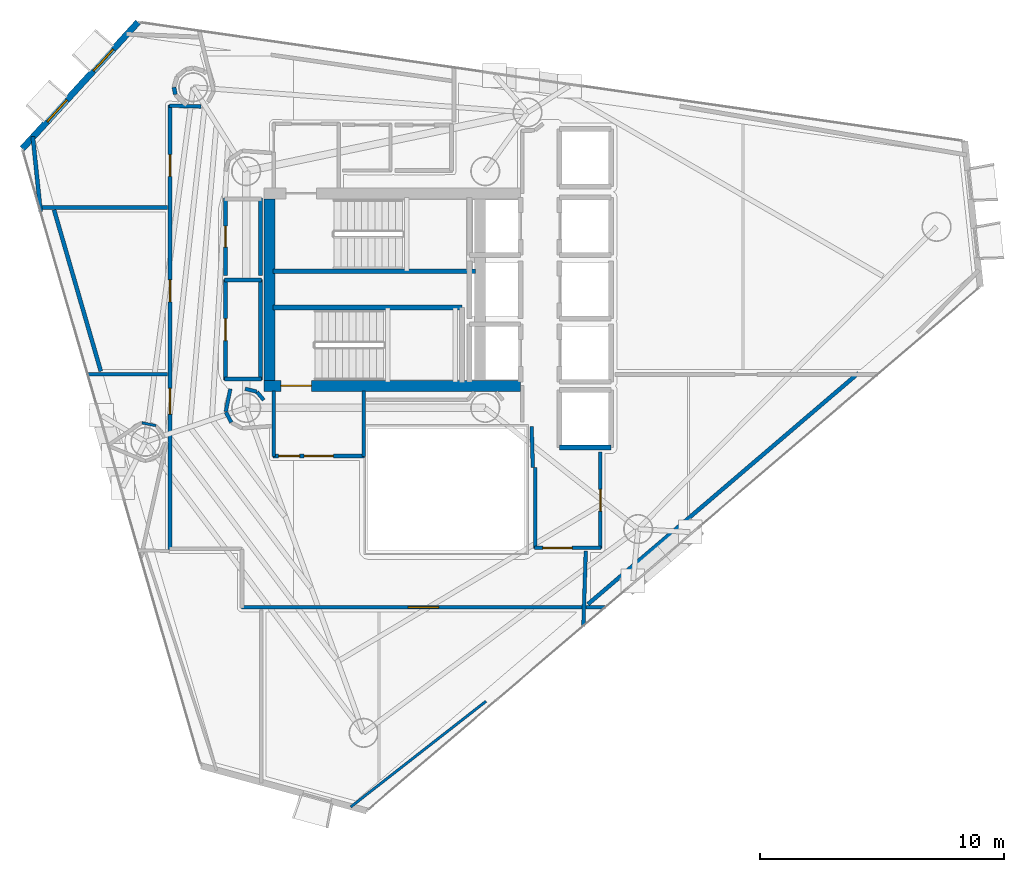
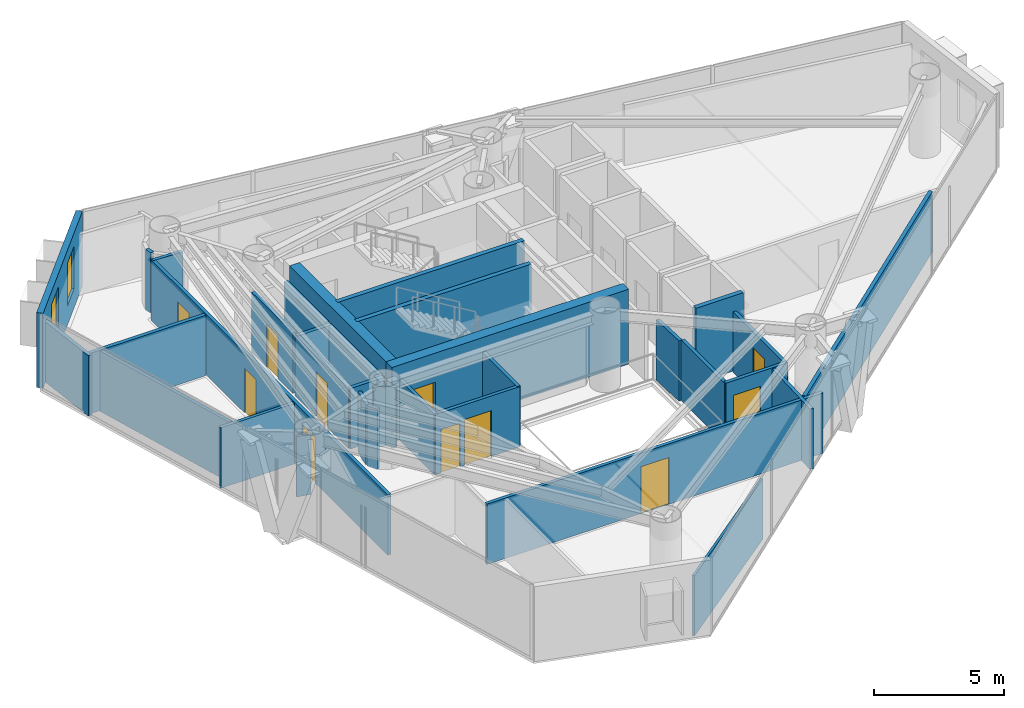
# One storey, part 18 of 23: 35 walls, 11 doors, 2 windows, 13 openings.
"""IFC4 building model written with IfcOpenShell, lengths in metres."""

from ifc_helpers import new_model, si_unit, direction, frame, frame_2d, origin, place, context, subcontext, project, spatial, rectangle, extrude, material, layer, layer_set, type_object, element, fill, save


model = new_model("IFC4")

# Units and contexts
model_context = context("Model", 3, precision=1e-05, world=origin(), true_north=direction((0.0, 1.0)))
body_context = subcontext(model_context, "Body", "Model", "MODEL_VIEW")
ifc_project = project(units=[si_unit("LENGTHUNIT", "METRE"), si_unit("AREAUNIT", "SQUARE_METRE"), si_unit("VOLUMEUNIT", "CUBIC_METRE"), si_unit("PLANEANGLEUNIT", "RADIAN"), si_unit("MASSUNIT", "GRAM", prefix="KILO")], contexts=[model_context])

# Site, building, storey
site_placement = place(None, origin())
site = spatial("IfcSite", under=ifc_project, at=site_placement, CompositionType="ELEMENT")
building_placement = place(site_placement, origin())
building = spatial("IfcBuilding", under=site, at=building_placement, Name="Qianvela Tower", CompositionType="ELEMENT")
storey_placement = place(building_placement, frame((0.0, 0.0, 215.10009765625)))
storey = spatial("IfcBuildingStorey", under=building, at=storey_placement, Name="L55", CompositionType="ELEMENT", Elevation=215.10009765625)

# Wall, openings, windows
ifc_material_1 = material(Name="Terracotta Cladding on Concrete C40", Category="masonry")
ifc_layer_1 = layer(ifc_material_1, 0.260009765625)
ifc_layer_set_1 = layer_set([ifc_layer_1], Name="Terracotta Cladding on Concrete C40")
wall_type_1 = type_object("IfcWallType", Name="TERRACOTTA-WALL-260", PredefinedType="SOLIDWALL", material=ifc_layer_set_1)
wall_1_placement = place(storey_placement, frame((24.17041015625, 39.660400390625, 0.0), z_axis=(0.0, 0.0, 1.0), x_axis=(-0.674986503916, -0.73783007497, 0.0)))
wall_1 = element("IfcWall", 1, at=wall_1_placement, inside=storey, type_object=wall_type_1, Name="L55 Terracotta Chamfer Facet Wall 3", PredefinedType="SOLIDWALL", context=body_context, shape_type="SweptSolid", body=[
    extrude(rectangle(XDim=7.02783203125, YDim=0.260009765625, at=frame_2d((3.513916015625, 0.0))), origin(), (0.0, 0.0, 1.0), 3.52001953125),
])
opening_1_placement = place(wall_1_placement, frame((1.50830078125, 0.0, 0.89990234375)))
opening_1 = element("IfcOpeningElement", 2, at=opening_1_placement, cuts=wall_1, Name="Opening W-03", PredefinedType="OPENING", context=body_context, shape_type="SweptSolid", body=[
    extrude(rectangle(XDim=1.199951171875, YDim=2.0, at=frame_2d((0.60009765625, 1.0))), frame((0.0, 0.139892578125, 0.0), z_axis=(0.0, -1.0, 0.0), x_axis=(1.0, 0.0, 0.0)), (0.0, 0.0, 1.0), 0.280029296875),
])
opening_2_placement = place(wall_1_placement, frame((4.319580078125, 0.0, 0.89990234375)))
opening_2 = element("IfcOpeningElement", 3, at=opening_2_placement, cuts=wall_1, Name="Opening W-03", PredefinedType="OPENING", context=body_context, shape_type="SweptSolid", body=[
    extrude(rectangle(XDim=1.199951171875, YDim=2.0, at=frame_2d((0.60009765625, 1.0))), frame((0.0, 0.139892578125, 0.0), z_axis=(0.0, -1.0, 0.0), x_axis=(1.0, 0.0, 0.0)), (0.0, 0.0, 1.0), 0.280029296875),
])
ifc_material_2 = material(Name="Thermally Broken Aluminium and Low-E Glass", Category="aluminium")
window_type = type_object("IfcWindowType", Name="WIN-TC-1200x2000", PartitioningType="SINGLE_PANEL", PredefinedType="WINDOW", material=ifc_material_2)
window_1_placement = place(opening_1_placement, origin())
window_1 = element("IfcWindow", 4, at=window_1_placement, inside=storey, type_object=window_type, Name="L55 Chamfer Facet Window 3.1", OverallHeight=2.0, OverallWidth=1.199951171875, PartitioningType="SINGLE_PANEL", PredefinedType="WINDOW", context=body_context, shape_type="SweptSolid", body=[
    extrude(rectangle(XDim=1.199951171875, YDim=2.0, at=frame_2d((0.60009765625, 1.0))), frame((0.0, 0.030029296875, 0.0), z_axis=(0.0, -1.0, 0.0), x_axis=(1.0, 0.0, 0.0)), (0.0, 0.0, 1.0), 0.06005859375),
])
fill(opening_1, window_1)
window_2_placement = place(opening_2_placement, origin())
window_2 = element("IfcWindow", 5, at=window_2_placement, inside=storey, type_object=window_type, Name="L55 Chamfer Facet Window 3.2", OverallHeight=2.0, OverallWidth=1.199951171875, PartitioningType="SINGLE_PANEL", PredefinedType="WINDOW", context=body_context, shape_type="SweptSolid", body=[
    extrude(rectangle(XDim=1.199951171875, YDim=2.0, at=frame_2d((0.60009765625, 1.0))), frame((0.0, 0.030029296875, 0.0), z_axis=(0.0, -1.0, 0.0), x_axis=(1.0, 0.0, 0.0)), (0.0, 0.0, 1.0), 0.06005859375),
])
fill(opening_2, window_2)

# Wall, opening, door
ifc_material_3 = material(Name="Concrete C50", Category="concrete")
ifc_layer_2 = layer(ifc_material_3, 0.449951171875)
ifc_layer_set_2 = layer_set([ifc_layer_2], Name="Concrete C50")
wall_type_2 = type_object("IfcWallType", Name="WT-CORE-450", PredefinedType="SHEAR", material=ifc_layer_set_2)
wall_2_placement = place(storey_placement, frame((29.330078125, 24.7548828125, 0.0), z_axis=(0.0, 0.0, 1.0), x_axis=(1.0, 0.0, 0.0)))
wall_2 = element("IfcWall", 6, at=wall_2_placement, inside=storey, type_object=wall_type_2, Name="L55 South Core Shear Wall", PredefinedType="SHEAR", context=body_context, shape_type="SweptSolid", body=[
    extrude(rectangle(XDim=10.52001953125, YDim=0.449951171875, at=frame_2d((5.260009765625, 0.0))), origin(), (0.0, 0.0, 1.0), 3.52001953125),
])
opening_3_placement = place(wall_2_placement, frame((0.695068359375, 0.0, 0.0)))
opening_3 = element("IfcOpeningElement", 7, at=opening_3_placement, cuts=wall_2, Name="Opening D-ST1", PredefinedType="OPENING", context=body_context, shape_type="SweptSolid", body=[
    extrude(rectangle(XDim=1.25, YDim=2.14990234375, at=frame_2d((0.625, 1.074951171875))), frame((0.0, 0.23486328125, 0.0), z_axis=(0.0, -1.0, 0.0), x_axis=(1.0, 0.0, 0.0)), (0.0, 0.0, 1.0), 0.469970703125),
])
ifc_material_4 = material(Name="Galvanised Fire Steel Q355B", Category="steel")
door_type_1 = type_object("IfcDoorType", Name="DT-STAIR-FD90", OperationType="NOTDEFINED", PredefinedType="DOOR", material=ifc_material_4)
door_1_placement = place(opening_3_placement, origin())
door_1 = element("IfcDoor", 8, at=door_1_placement, inside=storey, type_object=door_type_1, Name="L55 Stair ST-2 Exit Door", OperationType="SINGLE_SWING_LEFT", OverallHeight=2.14990234375, OverallWidth=1.25, PredefinedType="DOOR", context=body_context, shape_type="SweptSolid", body=[
    extrude(rectangle(XDim=1.25, YDim=2.14990234375, at=frame_2d((0.625, 1.074951171875))), frame((0.0, 0.02490234375, 0.0), z_axis=(0.0, -1.0, 0.0), x_axis=(1.0, 0.0, 0.0)), (0.0, 0.0, 1.0), 0.050048828125),
])
fill(opening_3, door_1)

# Wall
wall_3_placement = place(storey_placement, frame((29.554931640625, 24.97998046875, 0.0), z_axis=(0.0, 0.0, 1.0), x_axis=(0.0, 1.0, 0.0)))
element("IfcWall", 9, at=wall_3_placement, inside=storey, type_object=wall_type_2, Name="L55 West Core Shear Wall", PredefinedType="SHEAR", context=body_context, shape_type="SweptSolid", body=[
    extrude(rectangle(XDim=7.43994140625, YDim=0.449951171875, at=frame_2d((3.719970703125, 0.0))), origin(), (0.0, 0.0, 1.0), 3.52001953125),
])

# Wall, openings, doors
ifc_material_5 = material(Name="Fire-Rated Acoustic Gypsum Board")
ifc_layer_3 = layer(ifc_material_5, 0.14990234375)
ifc_layer_set_3 = layer_set([ifc_layer_3], Name="Fire-Rated Acoustic Gypsum Board")
wall_type_3 = type_object("IfcWallType", Name="WT-CORR-150", PredefinedType="PARTITIONING", material=ifc_layer_set_3)
wall_4_placement = place(storey_placement, frame((33.449951171875, 21.881103515625, 0.0), z_axis=(0.0, 0.0, 1.0), x_axis=(-1.0, 0.0, 0.0)))
wall_4 = element("IfcWall", 10, at=wall_4_placement, inside=storey, type_object=wall_type_3, Name="L55 Partition 5", PredefinedType="PARTITIONING", context=body_context, shape_type="SweptSolid", body=[
    extrude(rectangle(XDim=3.75, YDim=0.14990234375, at=frame_2d((1.875, 0.0))), origin(), (0.0, 0.0, 1.0), 2.83984375),
])
opening_4_placement = place(wall_4_placement, frame((1.27490234375, 0.0, 0.0)))
opening_4 = element("IfcOpeningElement", 11, at=opening_4_placement, cuts=wall_4, Name="Opening D-LB1", PredefinedType="OPENING", context=body_context, shape_type="SweptSolid", body=[
    extrude(rectangle(XDim=1.199951171875, YDim=2.14990234375, at=frame_2d((0.60009765625, 1.074951171875))), frame((0.0, 0.0849609375, 0.0), z_axis=(0.0, -1.0, 0.0), x_axis=(1.0, 0.0, 0.0)), (0.0, 0.0, 1.0), 0.169921875),
])
opening_5_placement = place(wall_4_placement, frame((2.659912109375, 0.0, 0.0)))
opening_5 = element("IfcOpeningElement", 12, at=opening_5_placement, cuts=wall_4, Name="Opening D-LB2", PredefinedType="OPENING", context=body_context, shape_type="SweptSolid", body=[
    extrude(rectangle(XDim=0.860107421875, YDim=2.050048828125, at=frame_2d((0.43017578125, 1.02490234375))), frame((0.0, 0.0849609375, 0.0), z_axis=(0.0, -1.0, 0.0), x_axis=(1.0, 0.0, 0.0)), (0.0, 0.0, 1.0), 0.169921875),
])
ifc_material_6 = material(Name="Glazed Fire-Rated Steel Frame", Category="steel")
door_type_2 = type_object("IfcDoorType", Name="DT-LOBBY-FD90", OperationType="NOTDEFINED", PredefinedType="DOOR", material=ifc_material_6)
door_2_placement = place(opening_4_placement, origin())
door_2 = element("IfcDoor", 13, at=door_2_placement, inside=storey, type_object=door_type_2, Name="L55 Door L55 Firefighting Lobby South to L55 Floor Corridor", OperationType="SINGLE_SWING_RIGHT", OverallHeight=2.14990234375, OverallWidth=1.199951171875, PredefinedType="DOOR", context=body_context, shape_type="SweptSolid", body=[
    extrude(rectangle(XDim=1.199951171875, YDim=2.14990234375, at=frame_2d((0.60009765625, 1.074951171875))), frame((0.0, 0.02490234375, 0.0), z_axis=(0.0, -1.0, 0.0), x_axis=(1.0, 0.0, 0.0)), (0.0, 0.0, 1.0), 0.050048828125),
])
fill(opening_4, door_2)
ifc_material_7 = material(Name="Insulated Steel Fire Door Q355B", Category="steel")
door_type_3 = type_object("IfcDoorType", Name="DT-LOBBY-FD90-860", OperationType="NOTDEFINED", PredefinedType="DOOR", material=ifc_material_7)
door_3_placement = place(opening_5_placement, origin())
door_3 = element("IfcDoor", 14, at=door_3_placement, inside=storey, type_object=door_type_3, Name="L55 Door L55 Firefighting Lobby South to L55 Floor Corridor", OperationType="SINGLE_SWING_RIGHT", OverallHeight=2.050048828125, OverallWidth=0.860107421875, PredefinedType="DOOR", context=body_context, shape_type="SweptSolid", body=[
    extrude(rectangle(XDim=0.860107421875, YDim=2.050048828125, at=frame_2d((0.43017578125, 1.02490234375))), frame((0.0, 0.02490234375, 0.0), z_axis=(0.0, -1.0, 0.0), x_axis=(1.0, 0.0, 0.0)), (0.0, 0.0, 1.0), 0.050048828125),
])
fill(opening_5, door_3)

# Walls
for number, where, z_axis, x_axis, name in (
    (15, (29.73095703125, 21.85009765625, 0.0), (0.0, 0.0, 1.0), (0.0, 1.0, 0.0), "L55 Partition 6"),
    (16, (33.4189453125, 24.5419921875, 0.0), (0.0, 0.0, 1.0), (0.0, -1.0, 0.0), "L55 Partition 8"),
):
    element("IfcWall", number, at=place(storey_placement, frame(where, z_axis=z_axis, x_axis=x_axis)), inside=storey, type_object=wall_type_3, Name=name, PredefinedType="PARTITIONING", context=body_context, shape_type="SweptSolid", body=[
        extrude(rectangle(XDim=2.69189453125, YDim=0.14990234375, at=frame_2d((1.345947265625, 0.0))), origin(), (0.0, 0.0, 1.0), 2.83984375),
    ])
wall_5_placement = place(storey_placement, frame((40.35107421875, 21.40087890625, 0.0), z_axis=(0.0, 0.0, 1.0), x_axis=(-0.031058045979, 0.999517582527, 0.0)))
element("IfcWall", 17, at=wall_5_placement, inside=storey, type_object=wall_type_3, Name="L55 Partition 9", PredefinedType="PARTITIONING", context=body_context, shape_type="SweptSolid", body=[
    extrude(rectangle(XDim=1.68212890625, YDim=0.14990234375, at=frame_2d((0.841064453125, 0.0))), origin(), (0.0, 0.0, 1.0), 2.83984375),
])

# Wall, opening, door
wall_6_placement = place(storey_placement, frame((43.118896484375, 22.050048828125, 0.0), z_axis=(0.0, 0.0, 1.0), x_axis=(0.0, -1.0, 0.0)))
wall_6 = element("IfcWall", 18, at=wall_6_placement, inside=storey, type_object=wall_type_3, Name="L55 Partition 17", PredefinedType="PARTITIONING", context=body_context, shape_type="SweptSolid", body=[
    extrude(rectangle(XDim=3.969970703125, YDim=0.14990234375, at=frame_2d((1.98486328125, 0.0))), origin(), (0.0, 0.0, 1.0), 2.83984375),
])
opening_6_placement = place(wall_6_placement, frame((1.534912109375, 0.0, 0.0)))
opening_6 = element("IfcOpeningElement", 19, at=opening_6_placement, cuts=wall_6, Name="Opening D-KT1", PredefinedType="OPENING", context=body_context, shape_type="SweptSolid", body=[
    extrude(rectangle(XDim=0.89990234375, YDim=2.10009765625, at=frame_2d((0.449951171875, 1.050048828125))), frame((0.0, 0.0849609375, 0.0), z_axis=(0.0, -1.0, 0.0), x_axis=(1.0, 0.0, 0.0)), (0.0, 0.0, 1.0), 0.169921875),
])
ifc_material_8 = material(Name="Glazed Timber Kitchen Door", Category="wood")
door_type_4 = type_object("IfcDoorType", Name="DT-KITCH-900", OperationType="NOTDEFINED", PredefinedType="DOOR", material=ifc_material_8)
door_4_placement = place(opening_6_placement, origin())
door_4 = element("IfcDoor", 20, at=door_4_placement, inside=storey, type_object=door_type_4, Name="L55 Door Floor Dining Kitchen L55-03 to L55 Lift Lobby", OperationType="SINGLE_SWING_RIGHT", OverallHeight=2.10009765625, OverallWidth=0.89990234375, PredefinedType="DOOR", context=body_context, shape_type="SweptSolid", body=[
    extrude(rectangle(XDim=0.89990234375, YDim=2.10009765625, at=frame_2d((0.449951171875, 1.050048828125))), frame((0.0, 0.02490234375, 0.0), z_axis=(0.0, -1.0, 0.0), x_axis=(1.0, 0.0, 0.0)), (0.0, 0.0, 1.0), 0.050048828125),
])
fill(opening_6, door_4)

wall_7_placement = place(storey_placement, frame((43.14990234375, 18.111083984375, 0.0), z_axis=(0.0, 0.0, 1.0), x_axis=(-1.0, 0.0, 0.0)))
wall_7 = element("IfcWall", 21, at=wall_7_placement, inside=storey, type_object=wall_type_3, Name="L55 Partition 18", PredefinedType="PARTITIONING", context=body_context, shape_type="SweptSolid", body=[
    extrude(rectangle(XDim=2.72998046875, YDim=0.14990234375, at=frame_2d((1.364990234375, 0.0))), origin(), (0.0, 0.0, 1.0), 2.83984375),
])
opening_7_placement = place(wall_7_placement, frame((1.18505859375, 0.0, 0.0)))
opening_7 = element("IfcOpeningElement", 22, at=opening_7_placement, cuts=wall_7, Name="Opening D-LB1", PredefinedType="OPENING", context=body_context, shape_type="SweptSolid", body=[
    extrude(rectangle(XDim=1.199951171875, YDim=2.14990234375, at=frame_2d((0.60009765625, 1.074951171875))), frame((0.0, 0.0849609375, 0.0), z_axis=(0.0, -1.0, 0.0), x_axis=(1.0, 0.0, 0.0)), (0.0, 0.0, 1.0), 0.169921875),
])
door_5_placement = place(opening_7_placement, origin())
door_5 = element("IfcDoor", 23, at=door_5_placement, inside=storey, type_object=door_type_2, Name="L55 Door L55 Lift Lobby to L55 Floor Corridor", OperationType="SINGLE_SWING_LEFT", OverallHeight=2.14990234375, OverallWidth=1.199951171875, PredefinedType="DOOR", context=body_context, shape_type="SweptSolid", body=[
    extrude(rectangle(XDim=1.199951171875, YDim=2.14990234375, at=frame_2d((0.60009765625, 1.074951171875))), frame((0.0, 0.02490234375, 0.0), z_axis=(0.0, -1.0, 0.0), x_axis=(1.0, 0.0, 0.0)), (0.0, 0.0, 1.0), 0.050048828125),
])
fill(opening_7, door_5)

# Walls
wall_8_placement = place(storey_placement, frame((40.450927734375, 18.080078125, 0.0), z_axis=(0.0, 0.0, 1.0), x_axis=(0.0, 1.0, 0.0)))
element("IfcWall", 24, at=wall_8_placement, inside=storey, type_object=wall_type_3, Name="L55 Partition 19 seg 1", PredefinedType="PARTITIONING", context=body_context, shape_type="SweptSolid", body=[
    extrude(rectangle(XDim=3.31982421875, YDim=0.14990234375, at=frame_2d((1.659912109375, 0.0))), origin(), (0.0, 0.0, 1.0), 2.83984375),
])
wall_9_placement = place(storey_placement, frame((29.321044921875, 24.169921875, 0.0), z_axis=(0.0, 0.0, 1.0), x_axis=(-0.638008265708, 0.770029514296, 0.0)))
element("IfcWall", 25, at=wall_9_placement, inside=storey, type_object=wall_type_3, Name="L55 Partition 40", PredefinedType="PARTITIONING", context=body_context, shape_type="SweptSolid", body=[
    extrude(rectangle(XDim=0.430908203125, YDim=0.14990234375, at=frame_2d((0.21533203125, 0.0))), origin(), (0.0, 0.0, 1.0), 2.83984375),
])
wall_10_placement = place(storey_placement, frame((29.030029296875, 24.511962890625, 0.0), z_axis=(0.0, 0.0, 1.0), x_axis=(-0.967681003213, 0.252177469296, 0.0)))
element("IfcWall", 26, at=wall_10_placement, inside=storey, type_object=wall_type_3, Name="L55 Partition 41", PredefinedType="PARTITIONING", context=body_context, shape_type="SweptSolid", body=[
    extrude(rectangle(XDim=0.488037109375, YDim=0.14990234375, at=frame_2d((0.244140625, 0.0))), origin(), (0.0, 0.0, 1.0), 2.83984375),
])
wall_11_placement = place(storey_placement, frame((27.950439453125, 24.626220703125, 0.0), z_axis=(0.0, 0.0, 1.0), x_axis=(-0.195125950178, -0.980778192848, 0.0)))
element("IfcWall", 27, at=wall_11_placement, inside=storey, type_object=wall_type_3, Name="L55 Partition 66", PredefinedType="PARTITIONING", context=body_context, shape_type="SweptSolid", body=[
    extrude(rectangle(XDim=0.948486328125, YDim=0.14990234375, at=frame_2d((0.47412109375, 0.0))), origin(), (0.0, 0.0, 1.0), 2.83984375),
])
wall_12_placement = place(storey_placement, frame((27.768310546875, 23.67529296875, 0.0), z_axis=(0.0, 0.0, 1.0), x_axis=(0.471865548338, -0.881670519123, 0.0)))
element("IfcWall", 28, at=wall_12_placement, inside=storey, type_object=wall_type_3, Name="L55 Partition 67", PredefinedType="PARTITIONING", context=body_context, shape_type="SweptSolid", body=[
    extrude(rectangle(XDim=0.47607421875, YDim=0.14990234375, at=frame_2d((0.238037109375, 0.0))), origin(), (0.0, 0.0, 1.0), 2.83984375),
])
wall_13_placement = place(storey_placement, frame((42.51904296875, 17.98095703125, 0.0), z_axis=(0.0, 0.0, 1.0), x_axis=(-0.031677304437, -0.999498148264, 0.0)))
element("IfcWall", 29, at=wall_13_placement, inside=storey, type_object=wall_type_3, Name="L55 Partition 73", PredefinedType="PARTITIONING", context=body_context, shape_type="SweptSolid", body=[
    extrude(rectangle(XDim=3.082763671875, YDim=0.14990234375, at=frame_2d((1.54150390625, 0.0))), origin(), (0.0, 0.0, 1.0), 2.83984375),
])

# Wall, opening, door
wall_14_placement = place(storey_placement, frame((43.3330078125, 15.680908203125, 0.0), z_axis=(0.0, 0.0, 1.0), x_axis=(-1.0, 0.0, 0.0)))
wall_14 = element("IfcWall", 30, at=wall_14_placement, inside=storey, type_object=wall_type_3, Name="L55 Partition 74", PredefinedType="PARTITIONING", context=body_context, shape_type="SweptSolid", body=[
    extrude(rectangle(XDim=14.93310546875, YDim=0.14990234375, at=frame_2d((7.466552734375, 0.0))), origin(), (0.0, 0.0, 1.0), 2.83984375),
])
opening_8_placement = place(wall_14_placement, frame((6.845703125, 0.0, 0.0)))
opening_8 = element("IfcOpeningElement", 31, at=opening_8_placement, cuts=wall_14, Name="Opening D-LG1", PredefinedType="OPENING", context=body_context, shape_type="SweptSolid", body=[
    extrude(rectangle(XDim=1.25, YDim=2.199951171875, at=frame_2d((0.625, 1.10009765625))), frame((0.0, 0.0849609375, 0.0), z_axis=(0.0, -1.0, 0.0), x_axis=(1.0, 0.0, 0.0)), (0.0, 0.0, 1.0), 0.169921875),
])
ifc_material_9 = material(Name="Anodised Aluminium Acoustic Glass Door", Category="aluminium")
door_type_5 = type_object("IfcDoorType", Name="DT-LOUNGE-1250", OperationType="NOTDEFINED", PredefinedType="DOOR", material=ifc_material_9)
door_6_placement = place(opening_8_placement, origin())
door_6 = element("IfcDoor", 32, at=door_6_placement, inside=storey, type_object=door_type_5, Name="L55 Door Debate Lecture Classroom L55-02 to L55 Floor Corridor", OperationType="SINGLE_SWING_LEFT", OverallHeight=2.199951171875, OverallWidth=1.25, PredefinedType="DOOR", context=body_context, shape_type="SweptSolid", body=[
    extrude(rectangle(XDim=1.25, YDim=2.199951171875, at=frame_2d((0.625, 1.10009765625))), frame((0.0, 0.02490234375, 0.0), z_axis=(0.0, -1.0, 0.0), x_axis=(1.0, 0.0, 0.0)), (0.0, 0.0, 1.0), 0.050048828125),
])
fill(opening_8, door_6)

# Wall, openings, doors
wall_15_placement = place(storey_placement, frame((25.48095703125, 18.050048828125, 0.0), z_axis=(0.0, 0.0, 1.0), x_axis=(0.0, 1.0, 0.0)))
wall_15 = element("IfcWall", 33, at=wall_15_placement, inside=storey, type_object=wall_type_3, Name="L55 Partition 77", PredefinedType="PARTITIONING", context=body_context, shape_type="SweptSolid", body=[
    extrude(rectangle(XDim=18.218505859375, YDim=0.14990234375, at=frame_2d((9.109375, 0.0))), origin(), (0.0, 0.0, 1.0), 2.83984375),
])
opening_9_placement = place(wall_15_placement, frame((5.54931640625, 0.0, 0.0)))
opening_9 = element("IfcOpeningElement", 34, at=opening_9_placement, cuts=wall_15, Name="Opening D-PL1", PredefinedType="OPENING", context=body_context, shape_type="SweptSolid", body=[
    extrude(rectangle(XDim=1.050048828125, YDim=2.14990234375, at=frame_2d((0.52490234375, 1.074951171875))), frame((0.0, 0.0849609375, 0.0), z_axis=(0.0, -1.0, 0.0), x_axis=(1.0, 0.0, 0.0)), (0.0, 0.0, 1.0), 0.169921875),
])
opening_10_placement = place(wall_15_placement, frame((15.284912109375, 0.0, 0.0)))
opening_10 = element("IfcOpeningElement", 35, at=opening_10_placement, cuts=wall_15, Name="Opening D-KT1", PredefinedType="OPENING", context=body_context, shape_type="SweptSolid", body=[
    extrude(rectangle(XDim=0.89990234375, YDim=2.10009765625, at=frame_2d((0.449951171875, 1.050048828125))), frame((0.0, 0.0849609375, 0.0), z_axis=(0.0, -1.0, 0.0), x_axis=(1.0, 0.0, 0.0)), (0.0, 0.0, 1.0), 0.169921875),
])
opening_11_placement = place(wall_15_placement, frame((10.14990234375, 0.0, 0.0)))
opening_11 = element("IfcOpeningElement", 36, at=opening_11_placement, cuts=wall_15, Name="Opening D-KT1", PredefinedType="OPENING", context=body_context, shape_type="SweptSolid", body=[
    extrude(rectangle(XDim=0.89990234375, YDim=2.10009765625, at=frame_2d((0.449951171875, 1.050048828125))), frame((0.0, 0.0849609375, 0.0), z_axis=(0.0, -1.0, 0.0), x_axis=(1.0, 0.0, 0.0)), (0.0, 0.0, 1.0), 0.169921875),
])
door_7_placement = place(opening_10_placement, origin())
door_7 = element("IfcDoor", 37, at=door_7_placement, inside=storey, type_object=door_type_4, Name="L55 Door Social Galley Kitchen L55-04 to L55 Floor Corridor", OperationType="SINGLE_SWING_LEFT", OverallHeight=2.10009765625, OverallWidth=0.89990234375, PredefinedType="DOOR", context=body_context, shape_type="SweptSolid", body=[
    extrude(rectangle(XDim=0.89990234375, YDim=2.10009765625, at=frame_2d((0.449951171875, 1.050048828125))), frame((0.0, 0.02490234375, 0.0), z_axis=(0.0, -1.0, 0.0), x_axis=(1.0, 0.0, 0.0)), (0.0, 0.0, 1.0), 0.050048828125),
])
fill(opening_10, door_7)
door_8_placement = place(opening_11_placement, origin())
door_8 = element("IfcDoor", 38, at=door_8_placement, inside=storey, type_object=door_type_4, Name="L55 Door Shared Communal Kitchen L55-05 to L55 Floor Corridor", OperationType="SINGLE_SWING_RIGHT", OverallHeight=2.10009765625, OverallWidth=0.89990234375, PredefinedType="DOOR", context=body_context, shape_type="SweptSolid", body=[
    extrude(rectangle(XDim=0.89990234375, YDim=2.10009765625, at=frame_2d((0.449951171875, 1.050048828125))), frame((0.0, 0.02490234375, 0.0), z_axis=(0.0, -1.0, 0.0), x_axis=(1.0, 0.0, 0.0)), (0.0, 0.0, 1.0), 0.050048828125),
])
fill(opening_11, door_8)
ifc_material_10 = material(Name="Insulated Steel Fire Door Q355B", Category="steel")
door_type_6 = type_object("IfcDoorType", Name="DT-PLANT-FD90", OperationType="NOTDEFINED", PredefinedType="DOOR", material=ifc_material_10)
door_9_placement = place(opening_9_placement, origin())
door_9 = element("IfcDoor", 39, at=door_9_placement, inside=storey, type_object=door_type_6, Name="L55 Door Project Huddle Conference L55-01 to L55 Floor Corridor", OperationType="SINGLE_SWING_RIGHT", OverallHeight=2.14990234375, OverallWidth=1.050048828125, PredefinedType="DOOR", context=body_context, shape_type="SweptSolid", body=[
    extrude(rectangle(XDim=1.050048828125, YDim=2.14990234375, at=frame_2d((0.52490234375, 1.074951171875))), frame((0.0, 0.02490234375, 0.0), z_axis=(0.0, -1.0, 0.0), x_axis=(1.0, 0.0, 0.0)), (0.0, 0.0, 1.0), 0.050048828125),
])
fill(opening_9, door_9)

# Walls
wall_16_placement = place(storey_placement, frame((25.44921875, 36.237548828125, 0.0), z_axis=(0.0, 0.0, 1.0), x_axis=(0.999651698073, -0.026390955635, 0.0)))
element("IfcWall", 40, at=wall_16_placement, inside=storey, type_object=wall_type_3, Name="L55 Partition 78", PredefinedType="PARTITIONING", context=body_context, shape_type="SweptSolid", body=[
    extrude(rectangle(XDim=1.295166015625, YDim=0.14990234375, at=frame_2d((0.6474609375, 0.0))), origin(), (0.0, 0.0, 1.0), 2.83984375),
])
ifc_material_11 = material(Name="Lightweight Gypsum Room Partition")
ifc_layer_4 = layer(ifc_material_11, 0.10498046875)
ifc_layer_set_4 = layer_set([ifc_layer_4], Name="Lightweight Gypsum Room Partition")
wall_type_4 = type_object("IfcWallType", Name="WT-PART-105", PredefinedType="PARTITIONING", material=ifc_layer_set_4)
wall_17_placement = place(storey_placement, frame((24.900390625, 23.122314453125, 0.0), z_axis=(0.0, 0.0, 1.0), x_axis=(-0.980773892286, 0.195147565217, 0.0)))
element("IfcWall", 41, at=wall_17_placement, inside=storey, type_object=wall_type_4, Name="L55 Partition 81", PredefinedType="PARTITIONING", context=body_context, shape_type="SweptSolid", body=[
    extrude(rectangle(XDim=0.581787109375, YDim=0.10498046875, at=frame_2d((0.291015625, 0.0))), origin(), (0.0, 0.0, 1.0), 2.83984375),
])
wall_18_placement = place(storey_placement, frame((38.434326171875, 11.828125, 0.0), z_axis=(0.0, 0.0, 1.0), x_axis=(-0.788190339819, -0.615431546328, 0.0)))
element("IfcWall", 42, at=wall_18_placement, inside=storey, type_object=wall_type_4, Name="L55 Partition 96 seg 1", PredefinedType="PARTITIONING", context=body_context, shape_type="SweptSolid", body=[
    extrude(rectangle(XDim=7.046142578125, YDim=0.10498046875, at=frame_2d((3.52294921875, 0.0))), origin(), (0.0, 0.0, 1.0), 2.83984375),
])

# Wall, opening, door
ifc_material_12 = material(Name="Sanitary Service Chase Partition")
ifc_layer_5 = layer(ifc_material_12, 0.1650390625)
ifc_layer_set_5 = layer_set([ifc_layer_5], Name="Sanitary Service Chase Partition")
wall_type_5 = type_object("IfcWallType", Name="WT-PLUMB-165", PredefinedType="PLUMBINGWALL", material=ifc_layer_set_5)
wall_19_placement = place(storey_placement, frame((27.7509765625, 25.0, 0.0), z_axis=(0.0, 0.0, 1.0), x_axis=(0.0, 1.0, 0.0)))
wall_19 = element("IfcWall", 43, at=wall_19_placement, inside=storey, type_object=wall_type_5, Name="L55 Partition 28", PredefinedType="PLUMBINGWALL", context=body_context, shape_type="SweptSolid", body=[
    extrude(rectangle(XDim=4.1201171875, YDim=0.1650390625, at=frame_2d((2.06005859375, 0.0))), origin(), (0.0, 0.0, 1.0), 2.83984375),
])
opening_12_placement = place(wall_19_placement, frame((1.610107421875, 0.0, 0.0)))
opening_12 = element("IfcOpeningElement", 44, at=opening_12_placement, cuts=wall_19, Name="Opening D-KT1", PredefinedType="OPENING", context=body_context, shape_type="SweptSolid", body=[
    extrude(rectangle(XDim=0.89990234375, YDim=2.10009765625, at=frame_2d((0.449951171875, 1.050048828125))), frame((0.0, 0.092529296875, 0.0), z_axis=(0.0, -1.0, 0.0), x_axis=(1.0, 0.0, 0.0)), (0.0, 0.0, 1.0), 0.18505859375),
])
door_10_placement = place(opening_12_placement, origin())
door_10 = element("IfcDoor", 45, at=door_10_placement, inside=storey, type_object=door_type_4, Name="L55 Door L55 Core Tea Pantry West to L55 Floor Corridor", OperationType="SINGLE_SWING_RIGHT", OverallHeight=2.10009765625, OverallWidth=0.89990234375, PredefinedType="DOOR", context=body_context, shape_type="SweptSolid", body=[
    extrude(rectangle(XDim=0.89990234375, YDim=2.10009765625, at=frame_2d((0.449951171875, 1.050048828125))), frame((0.0, 0.02490234375, 0.0), z_axis=(0.0, -1.0, 0.0), x_axis=(1.0, 0.0, 0.0)), (0.0, 0.0, 1.0), 0.050048828125),
])
fill(opening_12, door_10)

# Walls
wall_20_placement = place(storey_placement, frame((27.719970703125, 29.089111328125, 0.0), z_axis=(0.0, 0.0, 1.0), x_axis=(1.0, 0.0, 0.0)))
element("IfcWall", 46, at=wall_20_placement, inside=storey, type_object=wall_type_5, Name="L55 Partition 29", PredefinedType="PLUMBINGWALL", context=body_context, shape_type="SweptSolid", body=[
    extrude(rectangle(XDim=1.5, YDim=0.1650390625, at=frame_2d((0.75, 0.0))), origin(), (0.0, 0.0, 1.0), 2.83984375),
])
wall_21_placement = place(storey_placement, frame((29.18896484375, 29.1201171875, 0.0), z_axis=(0.0, 0.0, 1.0), x_axis=(0.0, -1.0, 0.0)))
element("IfcWall", 47, at=wall_21_placement, inside=storey, type_object=wall_type_5, Name="L55 Partition 30", PredefinedType="PLUMBINGWALL", context=body_context, shape_type="SweptSolid", body=[
    extrude(rectangle(XDim=4.1201171875, YDim=0.1650390625, at=frame_2d((2.06005859375, 0.0))), origin(), (0.0, 0.0, 1.0), 2.83984375),
])
wall_22_placement = place(storey_placement, frame((29.219970703125, 25.031005859375, 0.0), z_axis=(0.0, 0.0, 1.0), x_axis=(-1.0, 0.0, 0.0)))
element("IfcWall", 48, at=wall_22_placement, inside=storey, type_object=wall_type_5, Name="L55 Partition 31", PredefinedType="PLUMBINGWALL", context=body_context, shape_type="SweptSolid", body=[
    extrude(rectangle(XDim=1.5, YDim=0.1650390625, at=frame_2d((0.75, 0.0))), origin(), (0.0, 0.0, 1.0), 2.83984375),
])

# Wall, opening, door
wall_23_placement = place(storey_placement, frame((27.7509765625, 29.280029296875, 0.0), z_axis=(0.0, 0.0, 1.0), x_axis=(0.0, 1.0, 0.0)))
wall_23 = element("IfcWall", 49, at=wall_23_placement, inside=storey, type_object=wall_type_5, Name="L55 Partition 32", PredefinedType="PLUMBINGWALL", context=body_context, shape_type="SweptSolid", body=[
    extrude(rectangle(XDim=3.169921875, YDim=0.1650390625, at=frame_2d((1.5849609375, 0.0))), origin(), (0.0, 0.0, 1.0), 2.83984375),
])
opening_13_placement = place(wall_23_placement, frame((1.155029296875, 0.0, 0.0)))
opening_13 = element("IfcOpeningElement", 50, at=opening_13_placement, cuts=wall_23, Name="Opening D-WC1", PredefinedType="OPENING", context=body_context, shape_type="SweptSolid", body=[
    extrude(rectangle(XDim=0.860107421875, YDim=2.050048828125, at=frame_2d((0.43017578125, 1.02490234375))), frame((0.0, 0.092529296875, 0.0), z_axis=(0.0, -1.0, 0.0), x_axis=(1.0, 0.0, 0.0)), (0.0, 0.0, 1.0), 0.18505859375),
])
ifc_material_13 = material(Name="Moisture-Sealed Acoustic Timber Door", Category="wood")
door_type_7 = type_object("IfcDoorType", Name="DT-WC-860", OperationType="NOTDEFINED", PredefinedType="DOOR", material=ifc_material_13)
door_11_placement = place(opening_13_placement, origin())
door_11 = element("IfcDoor", 51, at=door_11_placement, inside=storey, type_object=door_type_7, Name="L55 Door L55 Accessible WC to L55 Floor Corridor", OperationType="SINGLE_SWING_LEFT", OverallHeight=2.050048828125, OverallWidth=0.860107421875, PredefinedType="DOOR", context=body_context, shape_type="SweptSolid", body=[
    extrude(rectangle(XDim=0.860107421875, YDim=2.050048828125, at=frame_2d((0.43017578125, 1.02490234375))), frame((0.0, 0.02490234375, 0.0), z_axis=(0.0, -1.0, 0.0), x_axis=(1.0, 0.0, 0.0)), (0.0, 0.0, 1.0), 0.050048828125),
])
fill(opening_13, door_11)

# Walls
wall_24_placement = place(storey_placement, frame((29.18896484375, 32.449951171875, 0.0), z_axis=(0.0, 0.0, 1.0), x_axis=(0.0, -1.0, 0.0)))
element("IfcWall", 52, at=wall_24_placement, inside=storey, type_object=wall_type_5, Name="L55 Partition 34", PredefinedType="PLUMBINGWALL", context=body_context, shape_type="SweptSolid", body=[
    extrude(rectangle(XDim=3.169921875, YDim=0.1650390625, at=frame_2d((1.5849609375, 0.0))), origin(), (0.0, 0.0, 1.0), 2.83984375),
])
wall_25_placement = place(storey_placement, frame((53.7001953125, 25.281494140625, 0.0), z_axis=(0.0, 0.0, 1.0), x_axis=(-0.760261052986, -0.64961768088, 0.0)))
element("IfcWall", 53, at=wall_25_placement, inside=storey, type_object=wall_type_5, Name="L55 Partition 105", PredefinedType="PLUMBINGWALL", context=body_context, shape_type="SweptSolid", body=[
    extrude(rectangle(XDim=14.587646484375, YDim=0.1650390625, at=frame_2d((7.2939453125, 0.0))), origin(), (0.0, 0.0, 1.0), 2.83984375),
])
wall_26_placement = place(storey_placement, frame((25.640625, 36.986083984375, 0.0), z_axis=(0.0, 0.0, 1.0), x_axis=(0.195008367557, -0.980801578599, 0.0)))
element("IfcWall", 54, at=wall_26_placement, inside=storey, type_object=wall_type_5, Name="L55 Partition 114", PredefinedType="PLUMBINGWALL", context=body_context, shape_type="SweptSolid", body=[
    extrude(rectangle(XDim=0.296630859375, YDim=0.1650390625, at=frame_2d((0.1484375, 0.0))), origin(), (0.0, 0.0, 1.0), 2.83984375),
])
wall_27_placement = place(storey_placement, frame((25.3701171875, 32.072998046875, 0.0), z_axis=(0.0, 0.0, 1.0), x_axis=(-1.0, 0.0, 0.0)))
element("IfcWall", 55, at=wall_27_placement, inside=storey, type_object=wall_type_5, Name="L55 Partition 117", PredefinedType="PLUMBINGWALL", context=body_context, shape_type="SweptSolid", body=[
    extrude(rectangle(XDim=5.267333984375, YDim=0.1650390625, at=frame_2d((2.6337890625, 0.0))), origin(), (0.0, 0.0, 1.0), 2.83984375),
])
wall_28_placement = place(storey_placement, frame((20.173583984375, 31.897216796875, 0.0), z_axis=(0.0, 0.0, 1.0), x_axis=(-0.102570229054, 0.99472576528, 0.0)))
element("IfcWall", 56, at=wall_28_placement, inside=storey, type_object=wall_type_5, Name="L55 Partition 118", PredefinedType="PLUMBINGWALL", context=body_context, shape_type="SweptSolid", body=[
    extrude(rectangle(XDim=3.089599609375, YDim=0.1650390625, at=frame_2d((1.544921875, 0.0))), origin(), (0.0, 0.0, 1.0), 2.83984375),
])
wall_29_placement = place(storey_placement, frame((22.644287109375, 25.3505859375, 0.0), z_axis=(0.0, 0.0, 1.0), x_axis=(-0.278305064514, 0.960492733479, 0.0)))
element("IfcWall", 57, at=wall_29_placement, inside=storey, type_object=wall_type_5, Name="L55 Partition 123", PredefinedType="PLUMBINGWALL", context=body_context, shape_type="SweptSolid", body=[
    extrude(rectangle(XDim=6.88818359375, YDim=0.1650390625, at=frame_2d((3.444091796875, 0.0))), origin(), (0.0, 0.0, 1.0), 2.83984375),
])
ifc_material_14 = material(Name="Acoustic Double Gypsum Stud Partition")
ifc_layer_6 = layer(ifc_material_14, 0.139892578125)
ifc_layer_set_6 = layer_set([ifc_layer_6], Name="Acoustic Double Gypsum Stud Partition")
wall_type_6 = type_object("IfcWallType", Name="WT-ROOM-140", PredefinedType="PARTITIONING", material=ifc_layer_set_6)
wall_30_placement = place(storey_placement, frame((22.08642578125, 25.22705078125, 0.0), z_axis=(0.0, 0.0, 1.0), x_axis=(1.0, 0.0, 0.0)))
element("IfcWall", 58, at=wall_30_placement, inside=storey, type_object=wall_type_6, Name="L55 Partition 94", PredefinedType="PARTITIONING", context=body_context, shape_type="SweptSolid", body=[
    extrude(rectangle(XDim=3.28369140625, YDim=0.139892578125, at=frame_2d((1.641845703125, 0.0))), origin(), (0.0, 0.0, 1.0), 2.83984375),
])
ifc_material_15 = material(Name="Concrete C50", Category="concrete")
ifc_layer_7 = layer(ifc_material_15, 0.199951171875)
ifc_layer_set_7 = layer_set([ifc_layer_7], Name="Concrete C50")
wall_type_7 = type_object("IfcWallType", Name="WT-SHAFT-200", PredefinedType="SOLIDWALL", material=ifc_layer_set_7)
wall_31_placement = place(storey_placement, frame((29.699951171875, 29.449951171875, 0.0), z_axis=(0.0, 0.0, 1.0), x_axis=(1.0, 0.0, 0.0)))
element("IfcWall", 59, at=wall_31_placement, inside=storey, type_object=wall_type_7, Name="L55 Stair ST-1 South Wall", PredefinedType="SOLIDWALL", context=body_context, shape_type="SweptSolid", body=[
    extrude(rectangle(XDim=8.300048828125, YDim=0.199951171875, at=frame_2d((4.14990234375, 0.0))), origin(), (0.0, 0.0, 1.0), 3.52001953125),
])
wall_32_placement = place(storey_placement, frame((29.699951171875, 27.9599609375, 0.0), z_axis=(0.0, 0.0, 1.0), x_axis=(1.0, 0.0, 0.0)))
element("IfcWall", 60, at=wall_32_placement, inside=storey, type_object=wall_type_7, Name="L55 Stair ST-2 North Wall", PredefinedType="SOLIDWALL", context=body_context, shape_type="SweptSolid", body=[
    extrude(rectangle(XDim=7.75, YDim=0.199951171875, at=frame_2d((3.875, 0.0))), origin(), (0.0, 0.0, 1.0), 3.52001953125),
])
wall_33_placement = place(storey_placement, frame((41.449951171875, 22.219970703125, 0.0), z_axis=(0.0, 0.0, 1.0), x_axis=(1.0, 0.0, 0.0)))
element("IfcWall", 61, at=wall_33_placement, inside=storey, type_object=wall_type_7, Name="L55 Lift PL-H2 S Shaft Wall", PredefinedType="SOLIDWALL", context=body_context, shape_type="SweptSolid", body=[
    extrude(rectangle(XDim=2.10009765625, YDim=0.199951171875, at=frame_2d((1.050048828125, 0.0))), origin(), (0.0, 0.0, 1.0), 3.52001953125),
])

save(model, "model.ifc")
